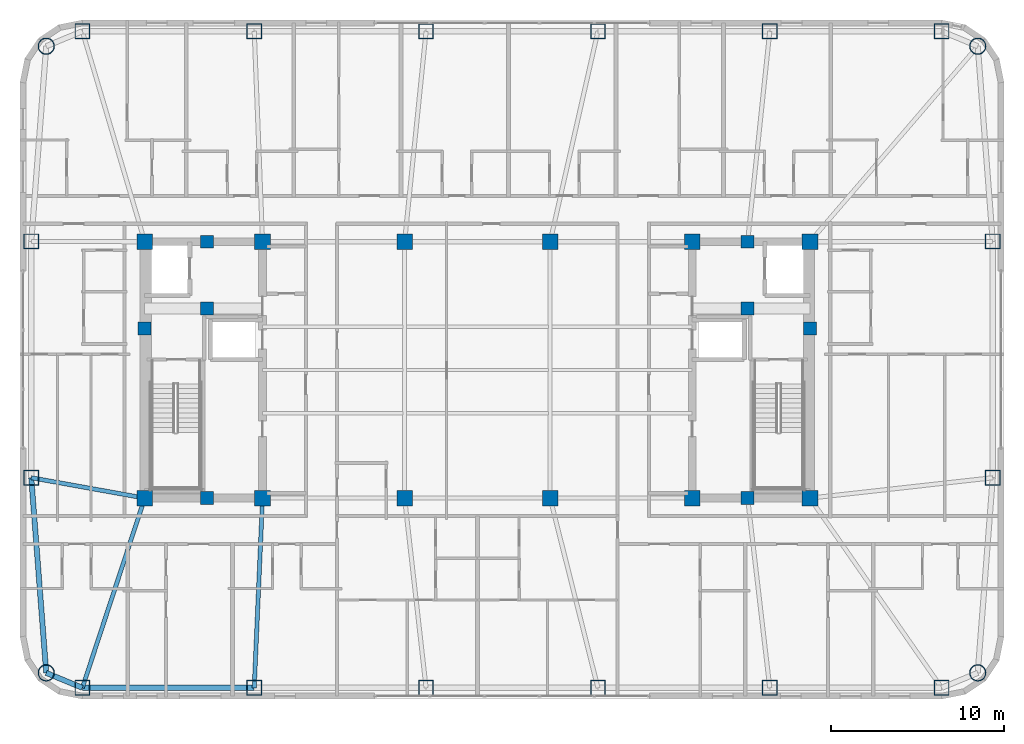
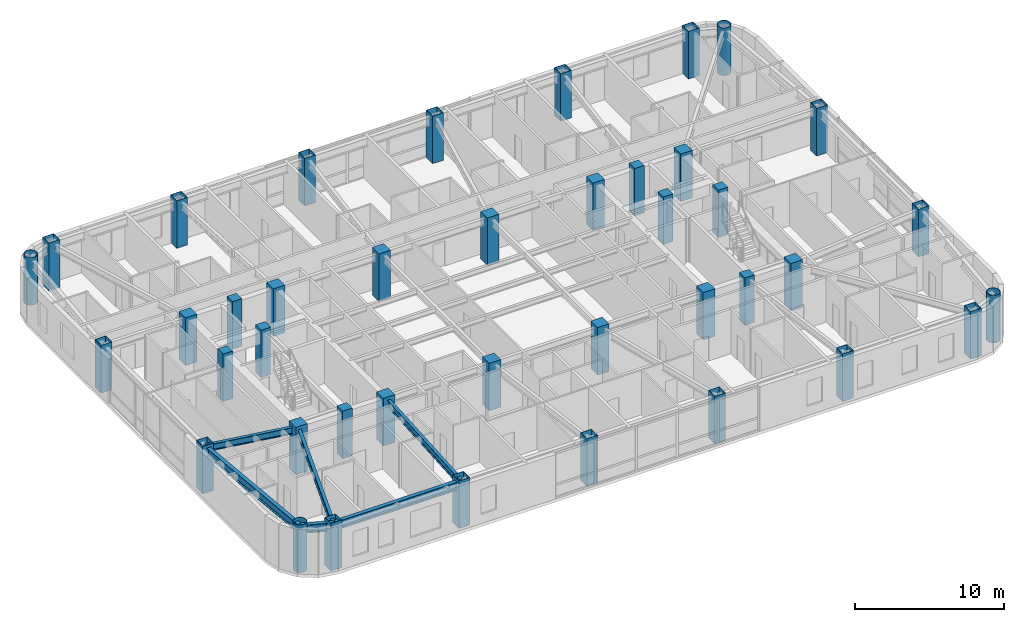
# One storey, part 1 of 29: 40 columns, 6 beams.
"""IFC4 building model written with IfcOpenShell, lengths in metres."""

from ifc_helpers import new_model, si_unit, direction, frame, origin, origin_2d, place, context, subcontext, project, spatial, rectangle, hollow_rectangle, hollow_circle, i_section, extrude, material, material_profile, profile_set, type_object, element, save


model = new_model("IFC4")

# Units and contexts
model_context = context("Model", 3, precision=1e-05, world=origin(), true_north=direction((0.0, 1.0)))
body_context = subcontext(model_context, "Body", "Model", "MODEL_VIEW")
ifc_project = project(units=[si_unit("LENGTHUNIT", "METRE"), si_unit("AREAUNIT", "SQUARE_METRE"), si_unit("VOLUMEUNIT", "CUBIC_METRE"), si_unit("PLANEANGLEUNIT", "RADIAN"), si_unit("MASSUNIT", "GRAM", prefix="KILO")], contexts=[model_context])

# Site, building, storey
site_placement = place(None, origin())
site = spatial("IfcSite", under=ifc_project, at=site_placement, CompositionType="ELEMENT")
building_placement = place(site_placement, origin())
building = spatial("IfcBuilding", under=site, at=building_placement, Name="Voryun Gate Residences", CompositionType="ELEMENT")
storey_placement = place(building_placement, frame((0.0, 0.0, 211.89990234375)))
storey = spatial("IfcBuildingStorey", under=building, at=storey_placement, Name="L52", CompositionType="ELEMENT", Elevation=211.89990234375)

# Columns
ifc_material_1 = material(Name="Concrete C50/60", Category="concrete")
ifc_material_profile_1 = material_profile(ifc_material_1, rectangle(XDim=0.75, YDim=0.75, at=origin_2d()), Name="RC-750x750")
ifc_profile_set_1 = profile_set([ifc_material_profile_1], Name="Concrete C50/60")
column_type_1 = type_object("IfcColumnType", Name="COL_CORE_750", PredefinedType="COLUMN", material=ifc_profile_set_1)
for number, where, z_axis, x_axis, name in (
    (1, (-19.199951171875, 2.39990234375, 0.0), (0.0, 0.0, 1.0), (1.0, 0.0, 0.0), "L52 Core boundary column WC-MW"),
    (2, (-15.60009765625, -7.39990234375, 0.0), (0.0, 0.0, 1.0), (1.0, 0.0, 0.0), "L52 Core boundary column WC-SM"),
    (3, (-15.60009765625, 7.39990234375, 0.0), (0.0, 0.0, 1.0), (1.0, 0.0, 0.0), "L52 Core boundary column WC-NM"),
    (4, (-15.60009765625, 3.550048828125, 0.0), (0.0, 0.0, 1.0), (1.0, 0.0, 0.0), "L52 Core boundary column WC-MM"),
    (5, (15.60009765625, 3.550048828125, 0.0), (0.0, 0.0, 1.0), (1.0, 0.0, 0.0), "L52 Core boundary column EC-MM"),
    (6, (15.60009765625, -7.39990234375, 0.0), (0.0, 0.0, 1.0), (1.0, 0.0, 0.0), "L52 Core boundary column EC-SM"),
    (7, (15.60009765625, 7.39990234375, 0.0), (0.0, 0.0, 1.0), (1.0, 0.0, 0.0), "L52 Core boundary column EC-NM"),
    (8, (19.199951171875, 2.39990234375, 0.0), (0.0, 0.0, 1.0), (1.0, 0.0, 0.0), "L52 Core boundary column EC-ME"),
):
    element("IfcColumn", number, at=place(storey_placement, frame(where, z_axis=z_axis, x_axis=x_axis)), inside=storey, type_object=column_type_1, Name=name, PredefinedType="COLUMN", context=body_context, shape_type="SweptSolid", body=[
        extrude(rectangle(XDim=0.75, YDim=0.75, at=origin_2d()), origin(), (0.0, 0.0, 1.0), 3.900146484375),
    ])
ifc_material_2 = material(Name="Concrete C50/60", Category="concrete")
ifc_material_profile_2 = material_profile(ifc_material_2, rectangle(XDim=0.89990234375, YDim=0.89990234375, at=origin_2d()), Name="RC-900x900")
ifc_profile_set_2 = profile_set([ifc_material_profile_2], Name="Concrete C50/60")
column_type_2 = type_object("IfcColumnType", Name="COL_CORE_900", PredefinedType="COLUMN", material=ifc_profile_set_2)
for number, where, z_axis, x_axis, name in (
    (9, (-19.199951171875, -7.39990234375, 0.0), (0.0, 0.0, 1.0), (1.0, 0.0, 0.0), "L52 Core boundary column WC-SW"),
    (10, (-19.199951171875, 7.39990234375, 0.0), (0.0, 0.0, 1.0), (1.0, 0.0, 0.0), "L52 Core boundary column WC-NW"),
    (11, (-12.39990234375, -7.39990234375, 0.0), (0.0, 0.0, 1.0), (1.0, 0.0, 0.0), "L52 Core boundary column WC-SE"),
    (12, (-12.39990234375, 7.39990234375, 0.0), (0.0, 0.0, 1.0), (1.0, 0.0, 0.0), "L52 Core boundary column WC-NE"),
    (13, (12.39990234375, -7.39990234375, 0.0), (0.0, 0.0, 1.0), (1.0, 0.0, 0.0), "L52 Core boundary column EC-SW"),
    (14, (12.39990234375, 7.39990234375, 0.0), (0.0, 0.0, 1.0), (1.0, 0.0, 0.0), "L52 Core boundary column EC-NW"),
    (15, (19.199951171875, -7.39990234375, 0.0), (0.0, 0.0, 1.0), (1.0, 0.0, 0.0), "L52 Core boundary column EC-SE"),
    (16, (19.199951171875, 7.39990234375, 0.0), (0.0, 0.0, 1.0), (1.0, 0.0, 0.0), "L52 Core boundary column EC-NE"),
    (17, (-4.199951171875, -7.39990234375, 0.0), (0.0, 0.0, 1.0), (1.0, 0.0, 0.0), "L52 Interior spine column SP-WS"),
    (18, (-4.199951171875, 7.39990234375, 0.0), (0.0, 0.0, 1.0), (1.0, 0.0, 0.0), "L52 Interior spine column SP-WN"),
    (19, (4.199951171875, -7.39990234375, 0.0), (0.0, 0.0, 1.0), (1.0, 0.0, 0.0), "L52 Interior spine column SP-ES"),
    (20, (4.199951171875, 7.39990234375, 0.0), (0.0, 0.0, 1.0), (1.0, 0.0, 0.0), "L52 Interior spine column SP-EN"),
):
    element("IfcColumn", number, at=place(storey_placement, frame(where, z_axis=z_axis, x_axis=x_axis)), inside=storey, type_object=column_type_2, Name=name, PredefinedType="COLUMN", context=body_context, shape_type="SweptSolid", body=[
        extrude(rectangle(XDim=0.89990234375, YDim=0.89990234375, at=origin_2d()), origin(), (0.0, 0.0, 1.0), 3.900146484375),
    ])
ifc_material_3 = material(Name="Steel SM420", Category="steel")
ifc_material_profile_3 = material_profile(ifc_material_3, hollow_circle(Radius=0.47509765625, WallThickness=0.031982421875, at=origin_2d()), Name="CHS-950x32")
ifc_profile_set_3 = profile_set([ifc_material_profile_3], Name="Steel SM420")
column_type_3 = type_object("IfcColumnType", Name="COL_CRN_950", PredefinedType="COLUMN", material=ifc_profile_set_3)
for number, where, z_axis, x_axis, name in (
    (21, (28.885986328125, -17.486083984375, 0.0), (0.0, 0.0, 1.0), (1.0, 0.0, 0.0), "L52 Exoskeleton column CSE"),
    (22, (28.885986328125, 18.68603515625, 0.0), (0.0, 0.0, 1.0), (1.0, 0.0, 0.0), "L52 Exoskeleton column CNE"),
    (23, (-24.885986328125, 18.68603515625, 0.0), (0.0, 0.0, 1.0), (1.0, 0.0, 0.0), "L52 Exoskeleton column CNW"),
    (24, (-24.885986328125, -17.486083984375, 0.0), (0.0, 0.0, 1.0), (1.0, 0.0, 0.0), "L52 Exoskeleton column CSW"),
):
    element("IfcColumn", number, at=place(storey_placement, frame(where, z_axis=z_axis, x_axis=x_axis)), inside=storey, type_object=column_type_3, Name=name, PredefinedType="COLUMN", context=body_context, shape_type="SweptSolid", body=[
        extrude(hollow_circle(Radius=0.47509765625, WallThickness=0.031982421875, at=origin_2d()), origin(), (0.0, 0.0, 1.0), 3.900146484375),
    ])
ifc_material_4 = material(Name="Steel SM355", Category="steel")
ifc_material_profile_4 = material_profile(ifc_material_4, hollow_rectangle(XDim=0.85009765625, YDim=0.85009765625, WallThickness=0.028076171875, at=origin_2d()), Name="BOX-850x850x28")
ifc_profile_set_4 = profile_set([ifc_material_profile_4], Name="Steel SM355")
column_type_4 = type_object("IfcColumnType", Name="COL_EXO_B4", PredefinedType="COLUMN", material=ifc_profile_set_4)
for number, where, z_axis, x_axis, name in (
    (25, (-22.800048828125, -18.35009765625, 0.0), (0.0, 0.0, 1.0), (1.0, 0.0, 0.0), "L52 Exoskeleton column S1"),
    (26, (-12.8798828125, -18.35009765625, 0.0), (0.0, 0.0, 1.0), (1.0, 0.0, 0.0), "L52 Exoskeleton column S2"),
    (27, (-2.9599609375, -18.35009765625, 0.0), (0.0, 0.0, 1.0), (1.0, 0.0, 0.0), "L52 Exoskeleton column S3"),
    (28, (6.9599609375, -18.35009765625, 0.0), (0.0, 0.0, 1.0), (1.0, 0.0, 0.0), "L52 Exoskeleton column S4"),
    (29, (16.8798828125, -18.35009765625, 0.0), (0.0, 0.0, 1.0), (1.0, 0.0, 0.0), "L52 Exoskeleton column S5"),
    (30, (26.800048828125, -18.35009765625, 0.0), (0.0, 0.0, 1.0), (1.0, 0.0, 0.0), "L52 Exoskeleton column S6"),
    (31, (29.75, -6.221923828125, 0.0), (0.0, 0.0, 1.0), (1.0, 0.0, 0.0), "L52 Exoskeleton column E1"),
    (32, (29.75, 7.422119140625, 0.0), (0.0, 0.0, 1.0), (1.0, 0.0, 0.0), "L52 Exoskeleton column E2"),
    (33, (26.800048828125, 19.550048828125, 0.0), (0.0, 0.0, 1.0), (1.0, 0.0, 0.0), "L52 Exoskeleton column N1"),
    (34, (16.8798828125, 19.550048828125, 0.0), (0.0, 0.0, 1.0), (1.0, 0.0, 0.0), "L52 Exoskeleton column N2"),
    (35, (6.9599609375, 19.550048828125, 0.0), (0.0, 0.0, 1.0), (1.0, 0.0, 0.0), "L52 Exoskeleton column N3"),
    (36, (-2.9599609375, 19.550048828125, 0.0), (0.0, 0.0, 1.0), (1.0, 0.0, 0.0), "L52 Exoskeleton column N4"),
    (37, (-12.8798828125, 19.550048828125, 0.0), (0.0, 0.0, 1.0), (1.0, 0.0, 0.0), "L52 Exoskeleton column N5"),
    (38, (-22.800048828125, 19.550048828125, 0.0), (0.0, 0.0, 1.0), (1.0, 0.0, 0.0), "L52 Exoskeleton column N6"),
    (39, (-25.75, 7.422119140625, 0.0), (0.0, 0.0, 1.0), (1.0, 0.0, 0.0), "L52 Exoskeleton column W1"),
    (40, (-25.75, -6.221923828125, 0.0), (0.0, 0.0, 1.0), (1.0, 0.0, 0.0), "L52 Exoskeleton column W2"),
):
    element("IfcColumn", number, at=place(storey_placement, frame(where, z_axis=z_axis, x_axis=x_axis)), inside=storey, type_object=column_type_4, Name=name, PredefinedType="COLUMN", context=body_context, shape_type="SweptSolid", body=[
        extrude(hollow_rectangle(XDim=0.85009765625, YDim=0.85009765625, WallThickness=0.028076171875, at=origin_2d()), origin(), (0.0, 0.0, 1.0), 3.900146484375),
    ])

# Beams
ifc_material_5 = material(Name="Steel SM355", Category="steel")
ifc_material_profile_5 = material_profile(ifc_material_5, i_section(OverallWidth=0.300048828125, OverallDepth=0.679931640625, WebThickness=0.013916015625, FlangeThickness=0.02490234375, FilletRadius=0.01806640625, at=origin_2d()), Name="H-680x300x14x25")
ifc_profile_set_5 = profile_set([ifc_material_profile_5], Name="Steel SM355")
beam_type_1 = type_object("IfcBeamType", Name="BM_EXO_SPANDREL_M", PredefinedType="SPANDREL", material=ifc_profile_set_5)
beam_1_placement = place(storey_placement, frame((-22.800048828125, -18.35009765625, 3.31005859375), z_axis=(1.0, 0.0, 0.0), x_axis=(0.0, 1.0, 0.0)))
element("IfcBeam", 41, at=beam_1_placement, inside=storey, type_object=beam_type_1, Name="BM-L52-SPAND-01", PredefinedType="SPANDREL", context=body_context, shape_type="SweptSolid", body=[
    extrude(i_section(OverallWidth=0.300048828125, OverallDepth=0.679931640625, WebThickness=0.013916015625, FlangeThickness=0.02490234375, FilletRadius=0.01806640625, at=origin_2d()), origin(), (0.0, 0.0, 1.0), 9.920166015625),
])
beam_2_placement = place(storey_placement, frame((-25.75, -6.221923828125, 3.31005859375), z_axis=(0.076480009441, -0.997071114894, 0.0), x_axis=(0.997071114894, 0.076480009441, 0.0)))
element("IfcBeam", 42, at=beam_2_placement, inside=storey, type_object=beam_type_1, Name="BM-L52-SPAND-19", PredefinedType="SPANDREL", context=body_context, shape_type="SweptSolid", body=[
    extrude(i_section(OverallWidth=0.300048828125, OverallDepth=0.679931640625, WebThickness=0.013916015625, FlangeThickness=0.02490234375, FilletRadius=0.01806640625, at=origin_2d()), origin(), (0.0, 0.0, 1.0), 11.29736328125),
])
beam_3_placement = place(storey_placement, frame((-24.885986328125, -17.486083984375, 3.31005859375), z_axis=(0.923881087602, -0.382679678022, 0.0), x_axis=(0.382679678022, 0.923881087602, 0.0)))
element("IfcBeam", 43, at=beam_3_placement, inside=storey, type_object=beam_type_1, Name="BM-L52-SPAND-20", PredefinedType="SPANDREL", context=body_context, shape_type="SweptSolid", body=[
    extrude(i_section(OverallWidth=0.300048828125, OverallDepth=0.679931640625, WebThickness=0.013916015625, FlangeThickness=0.02490234375, FilletRadius=0.01806640625, at=origin_2d()), origin(), (0.0, 0.0, 1.0), 2.2578125),
])
ifc_material_6 = material(Name="Steel SM355", Category="steel")
ifc_material_profile_6 = material_profile(ifc_material_6, i_section(OverallWidth=0.239990234375, OverallDepth=0.550048828125, WebThickness=0.011962890625, FlangeThickness=0.02001953125, FilletRadius=0.01806640625, at=origin_2d()), Name="H-550x240x12x20")
ifc_profile_set_6 = profile_set([ifc_material_profile_6], Name="Steel SM355")
beam_type_2 = type_object("IfcBeamType", Name="BM_GIRD_550", PredefinedType="USERDEFINED", material=ifc_profile_set_6)
beam_4_placement = place(storey_placement, frame((-19.199951171875, -7.39990234375, 3.375), z_axis=(-0.312323693326, -0.949975742104, 0.0), x_axis=(0.949975742104, -0.312323693326, 0.0)))
element("IfcBeam", 44, at=beam_4_placement, inside=storey, type_object=beam_type_2, Name="BM-L52-RAD-S1", ObjectType="GIRDER", PredefinedType="USERDEFINED", context=body_context, shape_type="SweptSolid", body=[
    extrude(i_section(OverallWidth=0.239990234375, OverallDepth=0.550048828125, WebThickness=0.011962890625, FlangeThickness=0.02001953125, FilletRadius=0.01806640625, at=origin_2d()), origin(), (0.0, 0.0, 1.0), 11.52685546875),
])
beam_5_placement = place(storey_placement, frame((-12.39990234375, -7.39990234375, 3.375), z_axis=(-0.043791002488, -0.999040713936, 0.0), x_axis=(0.999040713936, -0.043791002488, 0.0)))
element("IfcBeam", 45, at=beam_5_placement, inside=storey, type_object=beam_type_2, Name="BM-L52-RAD-S2", ObjectType="GIRDER", PredefinedType="USERDEFINED", context=body_context, shape_type="SweptSolid", body=[
    extrude(i_section(OverallWidth=0.239990234375, OverallDepth=0.550048828125, WebThickness=0.011962890625, FlangeThickness=0.02001953125, FilletRadius=0.01806640625, at=origin_2d()), origin(), (0.0, 0.0, 1.0), 10.960693359375),
])
beam_6_placement = place(storey_placement, frame((-19.199951171875, -7.39990234375, 3.375), z_axis=(-0.984210303638, 0.177003045773, 0.0), x_axis=(-0.177003045773, -0.984210303638, 0.0)))
element("IfcBeam", 46, at=beam_6_placement, inside=storey, type_object=beam_type_2, Name="BM-L52-RAD-W2", ObjectType="GIRDER", PredefinedType="USERDEFINED", context=body_context, shape_type="SweptSolid", body=[
    extrude(i_section(OverallWidth=0.239990234375, OverallDepth=0.550048828125, WebThickness=0.011962890625, FlangeThickness=0.02001953125, FilletRadius=0.01806640625, at=origin_2d()), origin(), (0.0, 0.0, 1.0), 6.655029296875),
])

save(model, "model.ifc")
